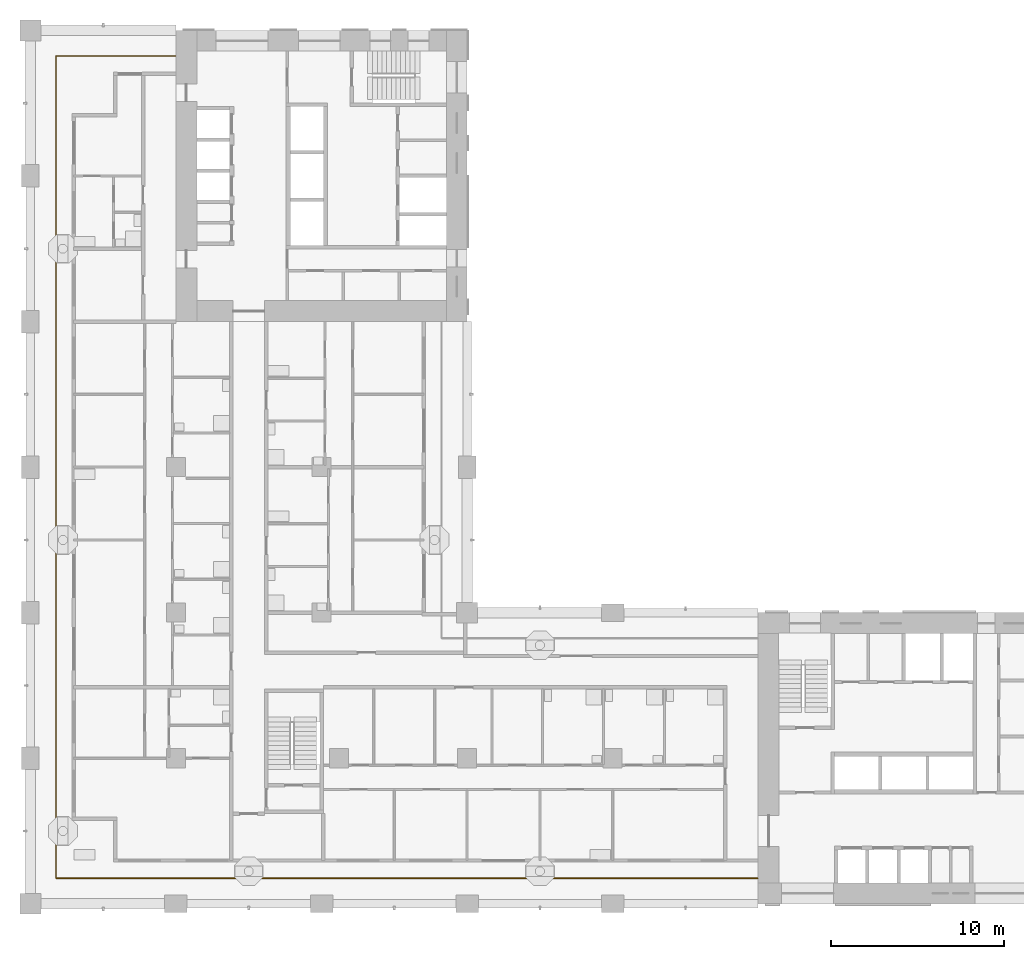
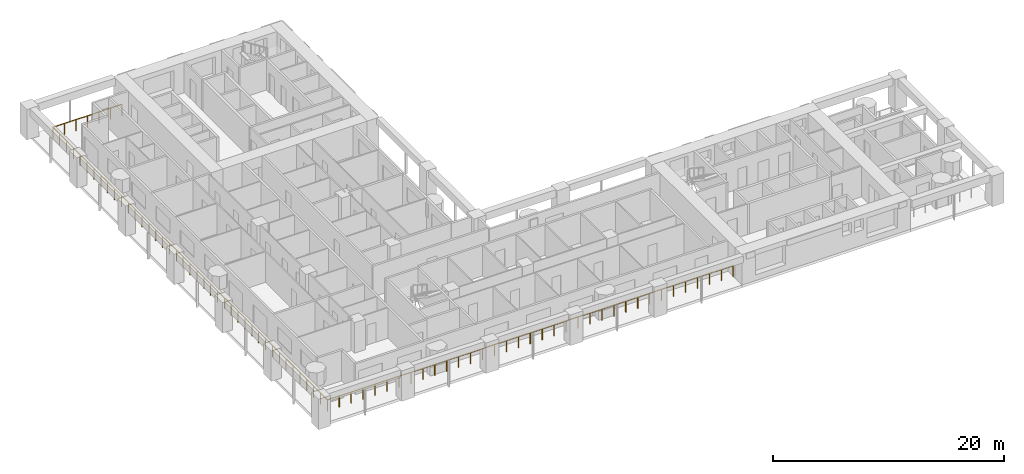
# One storey, part 11 of 19: 1 railing.
"""IFC4 building model written with IfcOpenShell, lengths in metres."""

from ifc_helpers import new_model, si_unit, direction, frame, origin, origin_2d, place, context, subcontext, project, spatial, circle, extrude, material, type_object, element, save


model = new_model("IFC4")

# Units and contexts
model_context = context("Model", 3, precision=1e-05, world=origin(), true_north=direction((0.0, 1.0)))
body_context = subcontext(model_context, "Body", "Model", "MODEL_VIEW")
ifc_project = project(units=[si_unit("LENGTHUNIT", "METRE"), si_unit("AREAUNIT", "SQUARE_METRE"), si_unit("VOLUMEUNIT", "CUBIC_METRE"), si_unit("PLANEANGLEUNIT", "RADIAN"), si_unit("MASSUNIT", "GRAM", prefix="KILO")], contexts=[model_context])

# Site, building, storey
site_placement = place(None, origin())
site = spatial("IfcSite", under=ifc_project, at=site_placement, CompositionType="ELEMENT")
building_placement = place(site_placement, origin())
building = spatial("IfcBuilding", under=site, at=building_placement, Name="Vermilion Gate Residences", CompositionType="ELEMENT")
storey_placement = place(building_placement, frame((0.0, 0.0, 123.199951171875)))
storey = spatial("IfcBuildingStorey", under=building, at=storey_placement, Name="L31", CompositionType="ELEMENT", Elevation=123.199951171875)

# Railing
ifc_material = material(Name="Stainless steel and toughened glass", Category="steel")
railing_type = type_object("IfcRailingType", Name="LOGGIA GUARD STEEL AND GLASS 1200", PredefinedType="GUARDRAIL", material=ifc_material)
railing_placement = place(storey_placement, frame((8.3779296875, 57.324951171875, 0.0)))
element("IfcRailing", 1, at=railing_placement, inside=storey, type_object=railing_type, Name="Loggia guard", PredefinedType="GUARDRAIL", context=body_context, shape_type="SweptSolid", body=[
    extrude(circle(Radius=0.030029296875, at=origin_2d()), frame((0.0, 0.0, 1.169921875), z_axis=(-1.0, 0.0, 0.0), x_axis=(0.0, -1.0, 0.0)), (0.0, 0.0, 1.0), 6.90283203125),
    extrude(circle(Radius=0.030029296875, at=origin_2d()), frame((-6.90283203125, 0.0, 1.169921875), z_axis=(0.0, -1.0, 0.0), x_axis=(1.0, 0.0, 0.0)), (0.0, 0.0, 1.0), 47.449951171875),
    extrude(circle(Radius=0.030029296875, at=origin_2d()), frame((-6.90283203125, -47.449951171875, 1.169921875), z_axis=(1.0, 0.0, 0.0), x_axis=(0.0, 1.0, 0.0)), (0.0, 0.0, 1.0), 40.5029296875),
    extrude(circle(Radius=0.02490234375, at=origin_2d()), origin(), (0.0, 0.0, 1.0), 1.139892578125),
    extrude(circle(Radius=0.02490234375, at=origin_2d()), frame((-1.150390625, 0.0, 0.0)), (0.0, 0.0, 1.0), 1.139892578125),
    extrude(circle(Radius=0.02490234375, at=origin_2d()), frame((-2.301025390625, 0.0, 0.0)), (0.0, 0.0, 1.0), 1.139892578125),
    extrude(circle(Radius=0.02490234375, at=origin_2d()), frame((-3.451416015625, 0.0, 0.0)), (0.0, 0.0, 1.0), 1.139892578125),
    extrude(circle(Radius=0.02490234375, at=origin_2d()), frame((-4.601806640625, 0.0, 0.0)), (0.0, 0.0, 1.0), 1.139892578125),
    extrude(circle(Radius=0.02490234375, at=origin_2d()), frame((-5.75244140625, 0.0, 0.0)), (0.0, 0.0, 1.0), 1.139892578125),
    extrude(circle(Radius=0.02490234375, at=origin_2d()), frame((-6.90283203125, 0.0, 0.0)), (0.0, 0.0, 1.0), 1.139892578125),
    extrude(circle(Radius=0.02490234375, at=origin_2d()), frame((-6.90283203125, -1.186279296875, 0.0)), (0.0, 0.0, 1.0), 1.139892578125),
    extrude(circle(Radius=0.02490234375, at=origin_2d()), frame((-6.90283203125, -2.37255859375, 0.0)), (0.0, 0.0, 1.0), 1.139892578125),
    extrude(circle(Radius=0.02490234375, at=origin_2d()), frame((-6.90283203125, -3.558837890625, 0.0)), (0.0, 0.0, 1.0), 1.139892578125),
    extrude(circle(Radius=0.02490234375, at=origin_2d()), frame((-6.90283203125, -4.7451171875, 0.0)), (0.0, 0.0, 1.0), 1.139892578125),
    extrude(circle(Radius=0.02490234375, at=origin_2d()), frame((-6.90283203125, -5.93115234375, 0.0)), (0.0, 0.0, 1.0), 1.139892578125),
    extrude(circle(Radius=0.02490234375, at=origin_2d()), frame((-6.90283203125, -7.117431640625, 0.0)), (0.0, 0.0, 1.0), 1.139892578125),
    extrude(circle(Radius=0.02490234375, at=origin_2d()), frame((-6.90283203125, -8.3037109375, 0.0)), (0.0, 0.0, 1.0), 1.139892578125),
    extrude(circle(Radius=0.02490234375, at=origin_2d()), frame((-6.90283203125, -9.489990234375, 0.0)), (0.0, 0.0, 1.0), 1.139892578125),
    extrude(circle(Radius=0.02490234375, at=origin_2d()), frame((-6.90283203125, -10.67626953125, 0.0)), (0.0, 0.0, 1.0), 1.139892578125),
    extrude(circle(Radius=0.02490234375, at=origin_2d()), frame((-6.90283203125, -11.862548828125, 0.0)), (0.0, 0.0, 1.0), 1.139892578125),
    extrude(circle(Radius=0.02490234375, at=origin_2d()), frame((-6.90283203125, -13.048828125, 0.0)), (0.0, 0.0, 1.0), 1.139892578125),
    extrude(circle(Radius=0.02490234375, at=origin_2d()), frame((-6.90283203125, -14.23486328125, 0.0)), (0.0, 0.0, 1.0), 1.139892578125),
    extrude(circle(Radius=0.02490234375, at=origin_2d()), frame((-6.90283203125, -15.421142578125, 0.0)), (0.0, 0.0, 1.0), 1.139892578125),
    extrude(circle(Radius=0.02490234375, at=origin_2d()), frame((-6.90283203125, -16.607421875, 0.0)), (0.0, 0.0, 1.0), 1.139892578125),
    extrude(circle(Radius=0.02490234375, at=origin_2d()), frame((-6.90283203125, -17.793701171875, 0.0)), (0.0, 0.0, 1.0), 1.139892578125),
    extrude(circle(Radius=0.02490234375, at=origin_2d()), frame((-6.90283203125, -18.97998046875, 0.0)), (0.0, 0.0, 1.0), 1.139892578125),
    extrude(circle(Radius=0.02490234375, at=origin_2d()), frame((-6.90283203125, -20.166259765625, 0.0)), (0.0, 0.0, 1.0), 1.139892578125),
    extrude(circle(Radius=0.02490234375, at=origin_2d()), frame((-6.90283203125, -21.3525390625, 0.0)), (0.0, 0.0, 1.0), 1.139892578125),
    extrude(circle(Radius=0.02490234375, at=origin_2d()), frame((-6.90283203125, -22.538818359375, 0.0)), (0.0, 0.0, 1.0), 1.139892578125),
    extrude(circle(Radius=0.02490234375, at=origin_2d()), frame((-6.90283203125, -23.72509765625, 0.0)), (0.0, 0.0, 1.0), 1.139892578125),
    extrude(circle(Radius=0.02490234375, at=origin_2d()), frame((-6.90283203125, -24.9111328125, 0.0)), (0.0, 0.0, 1.0), 1.139892578125),
    extrude(circle(Radius=0.02490234375, at=origin_2d()), frame((-6.90283203125, -26.097412109375, 0.0)), (0.0, 0.0, 1.0), 1.139892578125),
    extrude(circle(Radius=0.02490234375, at=origin_2d()), frame((-6.90283203125, -27.28369140625, 0.0)), (0.0, 0.0, 1.0), 1.139892578125),
    extrude(circle(Radius=0.02490234375, at=origin_2d()), frame((-6.90283203125, -28.469970703125, 0.0)), (0.0, 0.0, 1.0), 1.139892578125),
    extrude(circle(Radius=0.02490234375, at=origin_2d()), frame((-6.90283203125, -29.65625, 0.0)), (0.0, 0.0, 1.0), 1.139892578125),
    extrude(circle(Radius=0.02490234375, at=origin_2d()), frame((-6.90283203125, -30.842529296875, 0.0)), (0.0, 0.0, 1.0), 1.139892578125),
    extrude(circle(Radius=0.02490234375, at=origin_2d()), frame((-6.90283203125, -32.02880859375, 0.0)), (0.0, 0.0, 1.0), 1.139892578125),
    extrude(circle(Radius=0.02490234375, at=origin_2d()), frame((-6.90283203125, -33.21484375, 0.0)), (0.0, 0.0, 1.0), 1.139892578125),
    extrude(circle(Radius=0.02490234375, at=origin_2d()), frame((-6.90283203125, -34.401123046875, 0.0)), (0.0, 0.0, 1.0), 1.139892578125),
    extrude(circle(Radius=0.02490234375, at=origin_2d()), frame((-6.90283203125, -35.58740234375, 0.0)), (0.0, 0.0, 1.0), 1.139892578125),
    extrude(circle(Radius=0.02490234375, at=origin_2d()), frame((-6.90283203125, -36.773681640625, 0.0)), (0.0, 0.0, 1.0), 1.139892578125),
    extrude(circle(Radius=0.02490234375, at=origin_2d()), frame((-6.90283203125, -37.9599609375, 0.0)), (0.0, 0.0, 1.0), 1.139892578125),
    extrude(circle(Radius=0.02490234375, at=origin_2d()), frame((-6.90283203125, -39.146240234375, 0.0)), (0.0, 0.0, 1.0), 1.139892578125),
    extrude(circle(Radius=0.02490234375, at=origin_2d()), frame((-6.90283203125, -40.33251953125, 0.0)), (0.0, 0.0, 1.0), 1.139892578125),
    extrude(circle(Radius=0.02490234375, at=origin_2d()), frame((-6.90283203125, -41.518798828125, 0.0)), (0.0, 0.0, 1.0), 1.139892578125),
    extrude(circle(Radius=0.02490234375, at=origin_2d()), frame((-6.90283203125, -42.705078125, 0.0)), (0.0, 0.0, 1.0), 1.139892578125),
    extrude(circle(Radius=0.02490234375, at=origin_2d()), frame((-6.90283203125, -43.89111328125, 0.0)), (0.0, 0.0, 1.0), 1.139892578125),
    extrude(circle(Radius=0.02490234375, at=origin_2d()), frame((-6.90283203125, -45.077392578125, 0.0)), (0.0, 0.0, 1.0), 1.139892578125),
    extrude(circle(Radius=0.02490234375, at=origin_2d()), frame((-6.90283203125, -46.263671875, 0.0)), (0.0, 0.0, 1.0), 1.139892578125),
    extrude(circle(Radius=0.02490234375, at=origin_2d()), frame((-6.90283203125, -47.449951171875, 0.0)), (0.0, 0.0, 1.0), 1.139892578125),
    extrude(circle(Radius=0.02490234375, at=origin_2d()), frame((-5.711669921875, -47.449951171875, 0.0)), (0.0, 0.0, 1.0), 1.139892578125),
    extrude(circle(Radius=0.02490234375, at=origin_2d()), frame((-4.520263671875, -47.449951171875, 0.0)), (0.0, 0.0, 1.0), 1.139892578125),
    extrude(circle(Radius=0.02490234375, at=origin_2d()), frame((-3.3291015625, -47.449951171875, 0.0)), (0.0, 0.0, 1.0), 1.139892578125),
    extrude(circle(Radius=0.02490234375, at=origin_2d()), frame((-2.1376953125, -47.449951171875, 0.0)), (0.0, 0.0, 1.0), 1.139892578125),
    extrude(circle(Radius=0.02490234375, at=origin_2d()), frame((-0.946533203125, -47.449951171875, 0.0)), (0.0, 0.0, 1.0), 1.139892578125),
    extrude(circle(Radius=0.02490234375, at=origin_2d()), frame((0.24462890625, -47.449951171875, 0.0)), (0.0, 0.0, 1.0), 1.139892578125),
    extrude(circle(Radius=0.02490234375, at=origin_2d()), frame((1.43603515625, -47.449951171875, 0.0)), (0.0, 0.0, 1.0), 1.139892578125),
    extrude(circle(Radius=0.02490234375, at=origin_2d()), frame((2.627197265625, -47.449951171875, 0.0)), (0.0, 0.0, 1.0), 1.139892578125),
    extrude(circle(Radius=0.02490234375, at=origin_2d()), frame((3.818603515625, -47.449951171875, 0.0)), (0.0, 0.0, 1.0), 1.139892578125),
    extrude(circle(Radius=0.02490234375, at=origin_2d()), frame((5.009765625, -47.449951171875, 0.0)), (0.0, 0.0, 1.0), 1.139892578125),
    extrude(circle(Radius=0.02490234375, at=origin_2d()), frame((6.201171875, -47.449951171875, 0.0)), (0.0, 0.0, 1.0), 1.139892578125),
    extrude(circle(Radius=0.02490234375, at=origin_2d()), frame((7.392333984375, -47.449951171875, 0.0)), (0.0, 0.0, 1.0), 1.139892578125),
    extrude(circle(Radius=0.02490234375, at=origin_2d()), frame((8.58349609375, -47.449951171875, 0.0)), (0.0, 0.0, 1.0), 1.139892578125),
    extrude(circle(Radius=0.02490234375, at=origin_2d()), frame((9.77490234375, -47.449951171875, 0.0)), (0.0, 0.0, 1.0), 1.139892578125),
    extrude(circle(Radius=0.02490234375, at=origin_2d()), frame((10.966064453125, -47.449951171875, 0.0)), (0.0, 0.0, 1.0), 1.139892578125),
    extrude(circle(Radius=0.02490234375, at=origin_2d()), frame((12.157470703125, -47.449951171875, 0.0)), (0.0, 0.0, 1.0), 1.139892578125),
    extrude(circle(Radius=0.02490234375, at=origin_2d()), frame((13.3486328125, -47.449951171875, 0.0)), (0.0, 0.0, 1.0), 1.139892578125),
    extrude(circle(Radius=0.02490234375, at=origin_2d()), frame((14.539794921875, -47.449951171875, 0.0)), (0.0, 0.0, 1.0), 1.139892578125),
    extrude(circle(Radius=0.02490234375, at=origin_2d()), frame((15.731201171875, -47.449951171875, 0.0)), (0.0, 0.0, 1.0), 1.139892578125),
    extrude(circle(Radius=0.02490234375, at=origin_2d()), frame((16.92236328125, -47.449951171875, 0.0)), (0.0, 0.0, 1.0), 1.139892578125),
    extrude(circle(Radius=0.02490234375, at=origin_2d()), frame((18.11376953125, -47.449951171875, 0.0)), (0.0, 0.0, 1.0), 1.139892578125),
    extrude(circle(Radius=0.02490234375, at=origin_2d()), frame((19.304931640625, -47.449951171875, 0.0)), (0.0, 0.0, 1.0), 1.139892578125),
    extrude(circle(Radius=0.02490234375, at=origin_2d()), frame((20.49609375, -47.449951171875, 0.0)), (0.0, 0.0, 1.0), 1.139892578125),
    extrude(circle(Radius=0.02490234375, at=origin_2d()), frame((21.6875, -47.449951171875, 0.0)), (0.0, 0.0, 1.0), 1.139892578125),
    extrude(circle(Radius=0.02490234375, at=origin_2d()), frame((22.878662109375, -47.449951171875, 0.0)), (0.0, 0.0, 1.0), 1.139892578125),
    extrude(circle(Radius=0.02490234375, at=origin_2d()), frame((24.070068359375, -47.449951171875, 0.0)), (0.0, 0.0, 1.0), 1.139892578125),
    extrude(circle(Radius=0.02490234375, at=origin_2d()), frame((25.26123046875, -47.449951171875, 0.0)), (0.0, 0.0, 1.0), 1.139892578125),
    extrude(circle(Radius=0.02490234375, at=origin_2d()), frame((26.45263671875, -47.449951171875, 0.0)), (0.0, 0.0, 1.0), 1.139892578125),
    extrude(circle(Radius=0.02490234375, at=origin_2d()), frame((27.643798828125, -47.449951171875, 0.0)), (0.0, 0.0, 1.0), 1.139892578125),
    extrude(circle(Radius=0.02490234375, at=origin_2d()), frame((28.8349609375, -47.449951171875, 0.0)), (0.0, 0.0, 1.0), 1.139892578125),
    extrude(circle(Radius=0.02490234375, at=origin_2d()), frame((30.0263671875, -47.449951171875, 0.0)), (0.0, 0.0, 1.0), 1.139892578125),
    extrude(circle(Radius=0.02490234375, at=origin_2d()), frame((31.217529296875, -47.449951171875, 0.0)), (0.0, 0.0, 1.0), 1.139892578125),
    extrude(circle(Radius=0.02490234375, at=origin_2d()), frame((32.408935546875, -47.449951171875, 0.0)), (0.0, 0.0, 1.0), 1.139892578125),
    extrude(circle(Radius=0.02490234375, at=origin_2d()), frame((33.60009765625, -47.449951171875, 0.0)), (0.0, 0.0, 1.0), 1.139892578125),
])

save(model, "model.ifc")
